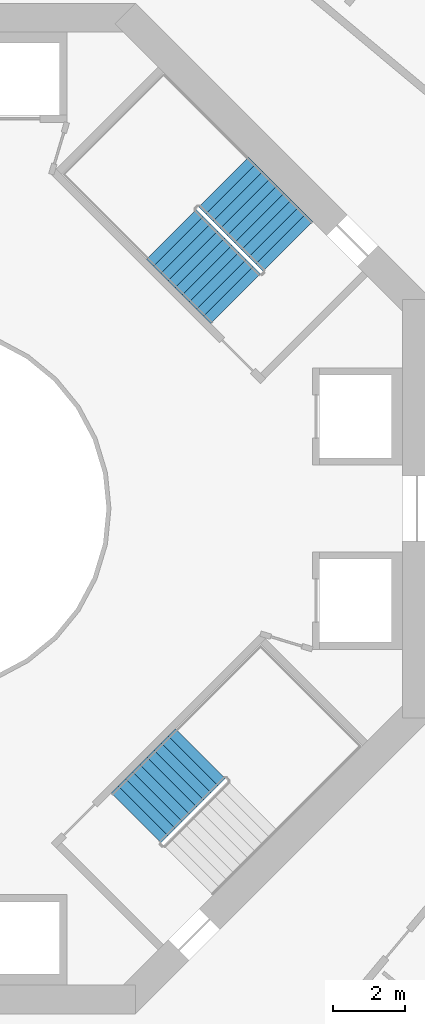
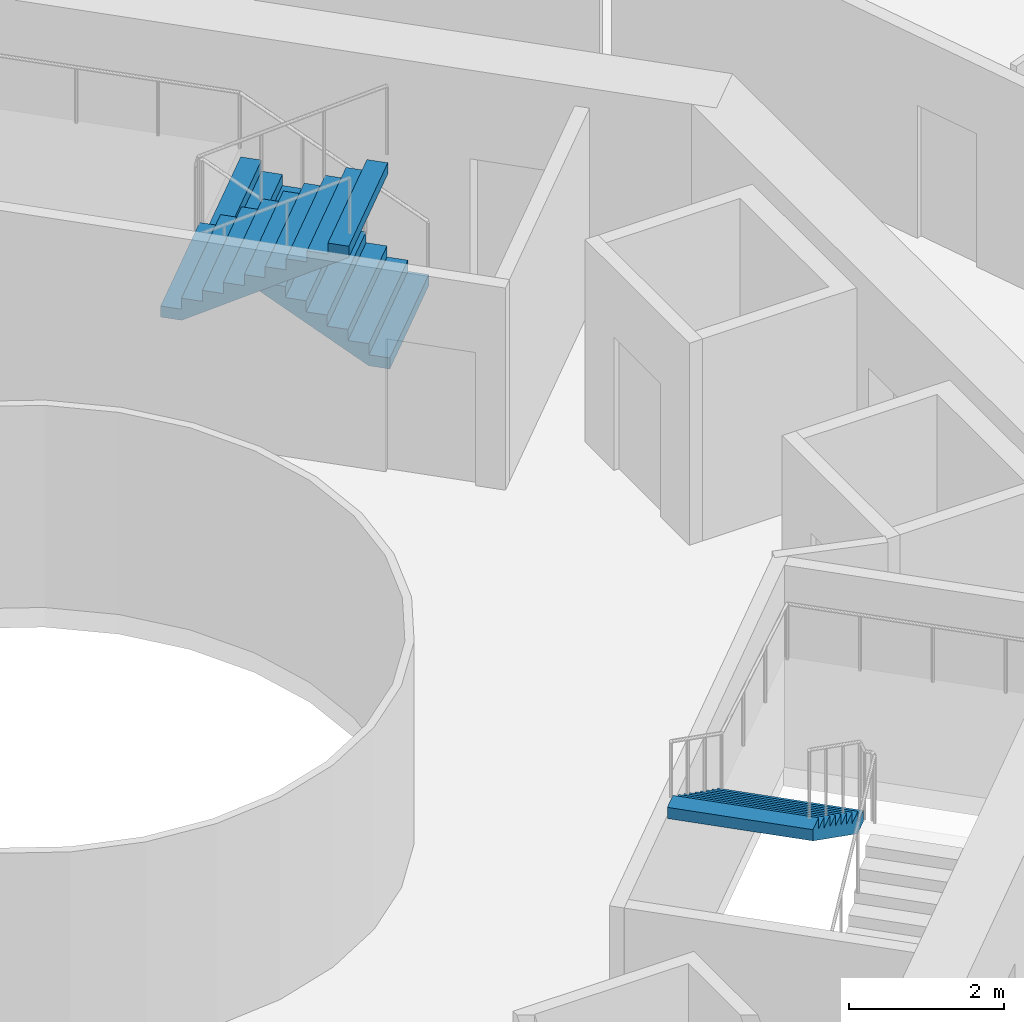
# One storey, part 23 of 24: 3 stair flights, 2 elements without a shape of their own.
"""IFC4 building model written with IfcOpenShell, lengths in metres."""

from ifc_helpers import new_model, si_unit, direction, frame, origin, place, context, subcontext, project, spatial, triangles, material, type_object, element, aggregate, save


model = new_model("IFC4")

# Units and contexts
model_context = context("Model", 3, precision=1e-05, world=origin(), true_north=direction((0.0, 1.0)))
body_context = subcontext(model_context, "Body", "Model", "MODEL_VIEW")
ifc_project = project(units=[si_unit("LENGTHUNIT", "METRE"), si_unit("AREAUNIT", "SQUARE_METRE"), si_unit("VOLUMEUNIT", "CUBIC_METRE"), si_unit("PLANEANGLEUNIT", "RADIAN"), si_unit("MASSUNIT", "GRAM", prefix="KILO")], contexts=[model_context])

# Site, building, storey
site_placement = place(None, origin())
site = spatial("IfcSite", under=ifc_project, at=site_placement, CompositionType="ELEMENT")
building_placement = place(site_placement, origin())
building = spatial("IfcBuilding", under=site, at=building_placement, Name="Verdalira Terraces Hotel", CompositionType="ELEMENT")
storey_placement = place(building_placement, frame((0.0, 0.0, 115.0)))
storey = spatial("IfcBuildingStorey", under=building, at=storey_placement, Name="L27", CompositionType="ELEMENT", Elevation=115.0)

# Stair, stair flights
ifc_material_1 = material(Name="Concrete C40", Category="concrete")
stair_type = type_object("IfcStairType", Name="Core stair 20 risers 1950 mm wide", PredefinedType="HALF_TURN_STAIR", material=ifc_material_1)
stair_1_placement = place(storey_placement, origin())
stair_1 = element("IfcStair", 1, at=stair_1_placement, inside=storey, type_object=stair_type, Name="L27 Exit stair ST1", PredefinedType="HALF_TURN_STAIR")
ifc_material_2 = material(Name="Concrete C40", Category="concrete")
stair_flight_type = type_object("IfcStairFlightType", Name="Core stair flight 20 risers 1950 mm wide", PredefinedType="STRAIGHT", material=ifc_material_2)
stair_flight_1_placement = place(storey_placement, frame((10.023193, 7.265625, 0.0), z_axis=(0.0, 0.0, 1.0), x_axis=(-0.707106781, 0.707106781, 0.0)))
stair_flight_1 = element("IfcStairFlight", 2, at=stair_flight_1_placement, type_object=stair_flight_type, Name="ST1 flight 1", NumberOfRisers=10, NumberOfTreads=9, PredefinedType="STRAIGHT", RiserHeight=0.175, TreadLength=0.28, context=body_context, shape_type="Tessellation", body=[
    triangles([(0.0, 0.974976, 0.0), (0.282715, 0.974976, 0.0), (2.52002, 0.974976, 1.398193), (0.0, -0.974976, 0.0), (0.282715, -0.974976, 0.0), (2.52002, -0.974976, 1.398193), (2.52002, 0.974976, 1.574951), (2.23999, 0.974976, 1.574951), (2.52002, -0.974976, 1.574951), (2.23999, -0.974976, 1.574951), (2.23999, 0.974976, 1.399902), (2.23999, -0.974976, 1.399902), (1.959961, 0.974976, 1.399902), (1.959961, -0.974976, 1.399902), (1.959961, 0.974976, 1.225098), (1.959961, -0.974976, 1.225098), (1.679932, 0.974976, 1.225098), (1.679932, 0.974976, 1.050049), (1.679932, -0.974976, 1.225098), (1.679932, -0.974976, 1.050049), (1.399902, 0.974976, 1.050049), (1.399902, 0.974976, 0.875), (1.399902, -0.974976, 1.050049), (1.399902, -0.974976, 0.875), (1.120117, 0.974976, 0.875), (1.120117, 0.974976, 0.699951), (1.120117, -0.974976, 0.875), (1.120117, -0.974976, 0.699951), (0.840088, 0.974976, 0.699951), (0.840088, 0.974976, 0.524902), (0.840088, -0.974976, 0.699951), (0.840088, -0.974976, 0.524902), (0.560059, 0.974976, 0.524902), (0.560059, 0.974976, 0.350098), (0.560059, -0.974976, 0.524902), (0.560059, -0.974976, 0.350098), (0.280029, 0.974976, 0.350098), (0.280029, 0.974976, 0.175049), (0.280029, -0.974976, 0.350098), (0.280029, -0.974976, 0.175049), (0.0, 0.974976, 0.175049), (0.0, -0.974976, 0.175049), (0.0, -0.91404, 0.0), (0.0, -0.91404, 0.175049), (0.0, -0.853104, 0.0), (0.0, -0.853104, 0.175049), (0.0, -0.792168, 0.0), (0.0, -0.792168, 0.175049), (0.0, -0.731232, 0.0), (0.0, -0.731232, 0.175049), (0.0, -0.670296, 0.0), (0.0, -0.670296, 0.175049), (0.0, -0.60936, 0.0), (0.0, -0.60936, 0.175049), (0.0, -0.548424, 0.0), (0.0, -0.548424, 0.175049), (0.0, -0.487488, 0.0), (0.0, -0.487488, 0.175049), (0.0, -0.426552, 0.0), (0.0, -0.426552, 0.175049), (0.0, -0.365616, 0.0), (0.0, -0.365616, 0.175049), (0.0, -0.30468, 0.0), (0.0, -0.30468, 0.175049), (0.0, -0.243744, 0.0), (0.0, -0.243744, 0.175049), (0.0, -0.182808, 0.0), (0.0, -0.182808, 0.175049), (0.0, -0.121872, 0.0), (0.0, -0.121872, 0.175049), (0.0, -0.060936, 0.0), (0.0, -0.060936, 0.175049), (0.0, 0.0, 0.0), (0.0, 0.0, 0.175049), (0.0, 0.060936, 0.0), (0.0, 0.060936, 0.175049), (0.0, 0.121872, 0.0), (0.0, 0.121872, 0.175049), (0.0, 0.182808, 0.0), (0.0, 0.182808, 0.175049), (0.0, 0.243744, 0.0), (0.0, 0.243744, 0.175049), (0.0, 0.30468, 0.0), (0.0, 0.30468, 0.175049), (0.0, 0.365616, 0.0), (0.0, 0.365616, 0.175049), (0.0, 0.426552, 0.0), (0.0, 0.426552, 0.175049), (0.0, 0.487488, 0.0), (0.0, 0.487488, 0.175049), (0.0, 0.548424, 0.0), (0.0, 0.548424, 0.175049), (0.0, 0.60936, 0.0), (0.0, 0.60936, 0.175049), (0.0, 0.670296, 0.0), (0.0, 0.670296, 0.175049), (0.0, 0.731232, 0.0), (0.0, 0.731232, 0.175049), (0.0, 0.792168, 0.0), (0.0, 0.792168, 0.175049), (0.0, 0.853104, 0.0), (0.0, 0.853104, 0.175049), (0.0, 0.91404, 0.0), (0.0, 0.91404, 0.175049), (2.52002, -0.91404, 1.574951), (2.52002, -0.853104, 1.574951), (2.52002, -0.792168, 1.574951), (2.52002, -0.731232, 1.574951), (2.52002, -0.670296, 1.574951), (2.52002, -0.60936, 1.574951), (2.52002, -0.548424, 1.574951), (2.52002, -0.487488, 1.574951), (2.52002, -0.426552, 1.574951), (2.52002, -0.365616, 1.574951), (2.52002, -0.30468, 1.574951), (2.52002, -0.243744, 1.574951), (2.52002, -0.182808, 1.574951), (2.52002, -0.121872, 1.574951), (2.52002, -0.060936, 1.574951), (2.52002, 0.0, 1.574951), (2.52002, 0.060936, 1.574951), (2.52002, 0.121872, 1.574951), (2.52002, 0.182808, 1.574951), (2.52002, 0.243744, 1.574951), (2.52002, 0.30468, 1.574951), (2.52002, 0.365616, 1.574951), (2.52002, 0.426552, 1.574951), (2.52002, 0.487488, 1.574951), (2.52002, 0.548424, 1.574951), (2.52002, 0.60936, 1.574951), (2.52002, 0.670296, 1.574951), (2.52002, 0.731232, 1.574951), (2.52002, 0.792168, 1.574951), (2.52002, 0.853104, 1.574951), (2.52002, 0.91404, 1.574951), (2.52002, -0.91404, 1.398193), (2.52002, -0.853104, 1.398193), (2.52002, -0.792168, 1.398193), (2.52002, -0.731232, 1.398193), (2.52002, -0.670296, 1.398193), (2.52002, -0.60936, 1.398193), (2.52002, -0.548424, 1.398193), (2.52002, -0.487488, 1.398193), (2.52002, -0.426552, 1.398193), (2.52002, -0.365616, 1.398193), (2.52002, -0.30468, 1.398193), (2.52002, -0.243744, 1.398193), (2.52002, -0.182808, 1.398193), (2.52002, -0.121872, 1.398193), (2.52002, -0.060936, 1.398193), (2.52002, 0.0, 1.398193), (2.52002, 0.060936, 1.398193), (2.52002, 0.121872, 1.398193), (2.52002, 0.182808, 1.398193), (2.52002, 0.243744, 1.398193), (2.52002, 0.30468, 1.398193), (2.52002, 0.365616, 1.398193), (2.52002, 0.426552, 1.398193), (2.52002, 0.487488, 1.398193), (2.52002, 0.548424, 1.398193), (2.52002, 0.60936, 1.398193), (2.52002, 0.670296, 1.398193), (2.52002, 0.731232, 1.398193), (2.52002, 0.792168, 1.398193), (2.52002, 0.853104, 1.398193), (2.52002, 0.91404, 1.398193)], [[1, 3, 2], [4, 5, 6], [3, 8, 7], [6, 9, 10], [3, 11, 8], [6, 10, 12], [3, 13, 11], [6, 12, 14], [3, 15, 13], [6, 14, 16], [15, 18, 17], [16, 19, 20], [3, 18, 15], [6, 16, 20], [18, 22, 21], [20, 23, 24], [3, 22, 18], [6, 20, 24], [22, 26, 25], [24, 27, 28], [3, 26, 22], [6, 24, 28], [26, 30, 29], [28, 31, 32], [3, 30, 26], [6, 28, 32], [1, 30, 3], [4, 6, 32], [30, 34, 33], [32, 35, 36], [34, 38, 37], [36, 39, 40], [30, 38, 34], [32, 36, 40], [1, 38, 30], [4, 32, 40], [38, 1, 41], [40, 42, 4], [4, 44, 43], [4, 42, 44], [43, 46, 45], [43, 44, 46], [45, 48, 47], [45, 46, 48], [47, 50, 49], [47, 48, 50], [49, 52, 51], [49, 50, 52], [51, 54, 53], [51, 52, 54], [53, 56, 55], [53, 54, 56], [55, 58, 57], [55, 56, 58], [57, 60, 59], [57, 58, 60], [59, 62, 61], [59, 60, 62], [61, 64, 63], [61, 62, 64], [63, 66, 65], [63, 64, 66], [65, 68, 67], [65, 66, 68], [67, 70, 69], [67, 68, 70], [69, 72, 71], [69, 70, 72], [71, 74, 73], [71, 72, 74], [73, 76, 75], [73, 74, 76], [75, 78, 77], [75, 76, 78], [77, 80, 79], [77, 78, 80], [79, 82, 81], [79, 80, 82], [81, 84, 83], [81, 82, 84], [83, 86, 85], [83, 84, 86], [85, 88, 87], [85, 86, 88], [87, 90, 89], [87, 88, 90], [89, 92, 91], [89, 90, 92], [91, 94, 93], [91, 92, 94], [93, 96, 95], [93, 94, 96], [95, 98, 97], [95, 96, 98], [97, 100, 99], [97, 98, 100], [99, 102, 101], [99, 100, 102], [101, 104, 103], [101, 102, 104], [103, 41, 1], [103, 104, 41], [42, 40, 44], [44, 40, 46], [46, 40, 48], [48, 40, 50], [50, 40, 52], [52, 40, 54], [54, 40, 56], [56, 40, 58], [58, 40, 60], [60, 40, 62], [62, 40, 64], [64, 40, 66], [66, 40, 68], [68, 40, 70], [70, 40, 72], [72, 40, 74], [74, 40, 76], [76, 40, 78], [78, 40, 80], [80, 40, 82], [82, 40, 84], [84, 40, 86], [86, 40, 88], [88, 40, 90], [90, 40, 92], [92, 40, 94], [94, 40, 96], [96, 40, 98], [98, 40, 100], [100, 40, 102], [102, 40, 104], [104, 40, 41], [41, 40, 38], [40, 37, 38], [40, 39, 37], [39, 34, 37], [39, 36, 34], [36, 33, 34], [36, 35, 33], [35, 30, 33], [35, 32, 30], [32, 29, 30], [32, 31, 29], [31, 26, 29], [31, 28, 26], [28, 25, 26], [28, 27, 25], [27, 22, 25], [27, 24, 22], [24, 21, 22], [24, 23, 21], [23, 18, 21], [23, 20, 18], [20, 17, 18], [20, 19, 17], [19, 15, 17], [19, 16, 15], [16, 13, 15], [16, 14, 13], [14, 11, 13], [14, 12, 11], [12, 8, 11], [12, 10, 8], [9, 105, 10], [105, 106, 10], [106, 107, 10], [107, 108, 10], [108, 109, 10], [109, 110, 10], [110, 111, 10], [111, 112, 10], [112, 113, 10], [113, 114, 10], [114, 115, 10], [115, 116, 10], [116, 117, 10], [117, 118, 10], [118, 119, 10], [119, 120, 10], [120, 121, 10], [121, 122, 10], [122, 123, 10], [123, 124, 10], [124, 125, 10], [125, 126, 10], [126, 127, 10], [127, 128, 10], [128, 129, 10], [129, 130, 10], [130, 131, 10], [131, 132, 10], [132, 133, 10], [133, 134, 10], [134, 135, 10], [135, 7, 10], [7, 8, 10], [9, 136, 105], [9, 6, 136], [105, 137, 106], [105, 136, 137], [106, 138, 107], [106, 137, 138], [107, 139, 108], [107, 138, 139], [108, 140, 109], [108, 139, 140], [109, 141, 110], [109, 140, 141], [110, 142, 111], [110, 141, 142], [111, 143, 112], [111, 142, 143], [112, 144, 113], [112, 143, 144], [113, 145, 114], [113, 144, 145], [114, 146, 115], [114, 145, 146], [115, 147, 116], [115, 146, 147], [116, 148, 117], [116, 147, 148], [117, 149, 118], [117, 148, 149], [118, 150, 119], [118, 149, 150], [119, 151, 120], [119, 150, 151], [120, 152, 121], [120, 151, 152], [121, 153, 122], [121, 152, 153], [122, 154, 123], [122, 153, 154], [123, 155, 124], [123, 154, 155], [124, 156, 125], [124, 155, 156], [125, 157, 126], [125, 156, 157], [126, 158, 127], [126, 157, 158], [127, 159, 128], [127, 158, 159], [128, 160, 129], [128, 159, 160], [129, 161, 130], [129, 160, 161], [130, 162, 131], [130, 161, 162], [131, 163, 132], [131, 162, 163], [132, 164, 133], [132, 163, 164], [133, 165, 134], [133, 164, 165], [134, 166, 135], [134, 165, 166], [135, 3, 7], [135, 166, 3], [6, 5, 136], [136, 5, 137], [137, 5, 138], [138, 5, 139], [139, 5, 140], [140, 5, 141], [141, 5, 142], [142, 5, 143], [143, 5, 144], [144, 5, 145], [145, 5, 146], [146, 5, 147], [147, 5, 148], [148, 5, 149], [149, 5, 150], [150, 5, 151], [151, 5, 152], [152, 5, 153], [153, 5, 154], [154, 5, 155], [155, 5, 156], [156, 5, 157], [157, 5, 158], [158, 5, 159], [159, 5, 160], [160, 5, 161], [161, 5, 162], [162, 5, 163], [163, 5, 164], [164, 5, 165], [165, 5, 166], [166, 5, 3], [3, 5, 2], [4, 43, 5], [43, 45, 5], [45, 47, 5], [47, 49, 5], [49, 51, 5], [51, 53, 5], [53, 55, 5], [55, 57, 5], [57, 59, 5], [59, 61, 5], [61, 63, 5], [63, 65, 5], [65, 67, 5], [67, 69, 5], [69, 71, 5], [71, 73, 5], [73, 75, 5], [75, 77, 5], [77, 79, 5], [79, 81, 5], [81, 83, 5], [83, 85, 5], [85, 87, 5], [87, 89, 5], [89, 91, 5], [91, 93, 5], [93, 95, 5], [95, 97, 5], [97, 99, 5], [99, 101, 5], [101, 103, 5], [103, 1, 5], [1, 2, 5]], closed=True),
])
stair_flight_2_placement = place(storey_placement, frame((6.791748, 7.5979, 1.75), z_axis=(0.0, 0.0, 1.0), x_axis=(0.707106781, -0.707106781, 0.0)))
stair_flight_2 = element("IfcStairFlight", 3, at=stair_flight_2_placement, type_object=stair_flight_type, Name="ST1 flight 2", NumberOfRisers=10, NumberOfTreads=9, PredefinedType="STRAIGHT", RiserHeight=0.175, TreadLength=0.28, context=body_context, shape_type="Tessellation", body=[
    triangles([(0.0, 0.974976, 0.0), (0.282715, 0.974976, 0.0), (2.52002, 0.974976, 1.398193), (0.0, -0.974976, 0.0), (0.282715, -0.974976, 0.0), (2.52002, -0.974976, 1.398193), (2.52002, 0.974976, 1.574951), (2.23999, 0.974976, 1.574951), (2.52002, -0.974976, 1.574951), (2.23999, -0.974976, 1.574951), (2.23999, 0.974976, 1.399902), (2.23999, -0.974976, 1.399902), (1.959961, 0.974976, 1.399902), (1.959961, -0.974976, 1.399902), (1.959961, 0.974976, 1.225098), (1.959961, -0.974976, 1.225098), (1.679932, 0.974976, 1.225098), (1.679932, 0.974976, 1.050049), (1.679932, -0.974976, 1.225098), (1.679932, -0.974976, 1.050049), (1.399902, 0.974976, 1.050049), (1.399902, 0.974976, 0.875), (1.399902, -0.974976, 1.050049), (1.399902, -0.974976, 0.875), (1.120117, 0.974976, 0.875), (1.120117, 0.974976, 0.699951), (1.120117, -0.974976, 0.875), (1.120117, -0.974976, 0.699951), (0.840088, 0.974976, 0.699951), (0.840088, 0.974976, 0.524902), (0.840088, -0.974976, 0.699951), (0.840088, -0.974976, 0.524902), (0.560059, 0.974976, 0.524902), (0.560059, 0.974976, 0.350098), (0.560059, -0.974976, 0.524902), (0.560059, -0.974976, 0.350098), (0.280029, 0.974976, 0.350098), (0.280029, 0.974976, 0.175049), (0.280029, -0.974976, 0.350098), (0.280029, -0.974976, 0.175049), (0.0, 0.974976, 0.175049), (0.0, -0.974976, 0.175049), (0.0, -0.91404, 0.0), (0.0, -0.91404, 0.175049), (0.0, -0.853104, 0.0), (0.0, -0.853104, 0.175049), (0.0, -0.792168, 0.0), (0.0, -0.792168, 0.175049), (0.0, -0.731232, 0.0), (0.0, -0.731232, 0.175049), (0.0, -0.670296, 0.0), (0.0, -0.670296, 0.175049), (0.0, -0.60936, 0.0), (0.0, -0.60936, 0.175049), (0.0, -0.548424, 0.0), (0.0, -0.548424, 0.175049), (0.0, -0.487488, 0.0), (0.0, -0.487488, 0.175049), (0.0, -0.426552, 0.0), (0.0, -0.426552, 0.175049), (0.0, -0.365616, 0.0), (0.0, -0.365616, 0.175049), (0.0, -0.30468, 0.0), (0.0, -0.30468, 0.175049), (0.0, -0.243744, 0.0), (0.0, -0.243744, 0.175049), (0.0, -0.182808, 0.0), (0.0, -0.182808, 0.175049), (0.0, -0.121872, 0.0), (0.0, -0.121872, 0.175049), (0.0, -0.060936, 0.0), (0.0, -0.060936, 0.175049), (0.0, 0.0, 0.0), (0.0, 0.0, 0.175049), (0.0, 0.060936, 0.0), (0.0, 0.060936, 0.175049), (0.0, 0.121872, 0.0), (0.0, 0.121872, 0.175049), (0.0, 0.182808, 0.0), (0.0, 0.182808, 0.175049), (0.0, 0.243744, 0.0), (0.0, 0.243744, 0.175049), (0.0, 0.30468, 0.0), (0.0, 0.30468, 0.175049), (0.0, 0.365616, 0.0), (0.0, 0.365616, 0.175049), (0.0, 0.426552, 0.0), (0.0, 0.426552, 0.175049), (0.0, 0.487488, 0.0), (0.0, 0.487488, 0.175049), (0.0, 0.548424, 0.0), (0.0, 0.548424, 0.175049), (0.0, 0.60936, 0.0), (0.0, 0.60936, 0.175049), (0.0, 0.670296, 0.0), (0.0, 0.670296, 0.175049), (0.0, 0.731232, 0.0), (0.0, 0.731232, 0.175049), (0.0, 0.792168, 0.0), (0.0, 0.792168, 0.175049), (0.0, 0.853104, 0.0), (0.0, 0.853104, 0.175049), (0.0, 0.91404, 0.0), (0.0, 0.91404, 0.175049), (2.52002, -0.91404, 1.574951), (2.52002, -0.853104, 1.574951), (2.52002, -0.792168, 1.574951), (2.52002, -0.731232, 1.574951), (2.52002, -0.670296, 1.574951), (2.52002, -0.60936, 1.574951), (2.52002, -0.548424, 1.574951), (2.52002, -0.487488, 1.574951), (2.52002, -0.426552, 1.574951), (2.52002, -0.365616, 1.574951), (2.52002, -0.30468, 1.574951), (2.52002, -0.243744, 1.574951), (2.52002, -0.182808, 1.574951), (2.52002, -0.121872, 1.574951), (2.52002, -0.060936, 1.574951), (2.52002, 0.0, 1.574951), (2.52002, 0.060936, 1.574951), (2.52002, 0.121872, 1.574951), (2.52002, 0.182808, 1.574951), (2.52002, 0.243744, 1.574951), (2.52002, 0.30468, 1.574951), (2.52002, 0.365616, 1.574951), (2.52002, 0.426552, 1.574951), (2.52002, 0.487488, 1.574951), (2.52002, 0.548424, 1.574951), (2.52002, 0.60936, 1.574951), (2.52002, 0.670296, 1.574951), (2.52002, 0.731232, 1.574951), (2.52002, 0.792168, 1.574951), (2.52002, 0.853104, 1.574951), (2.52002, 0.91404, 1.574951), (2.52002, -0.91404, 1.398193), (2.52002, -0.853104, 1.398193), (2.52002, -0.792168, 1.398193), (2.52002, -0.731232, 1.398193), (2.52002, -0.670296, 1.398193), (2.52002, -0.60936, 1.398193), (2.52002, -0.548424, 1.398193), (2.52002, -0.487488, 1.398193), (2.52002, -0.426552, 1.398193), (2.52002, -0.365616, 1.398193), (2.52002, -0.30468, 1.398193), (2.52002, -0.243744, 1.398193), (2.52002, -0.182808, 1.398193), (2.52002, -0.121872, 1.398193), (2.52002, -0.060936, 1.398193), (2.52002, 0.0, 1.398193), (2.52002, 0.060936, 1.398193), (2.52002, 0.121872, 1.398193), (2.52002, 0.182808, 1.398193), (2.52002, 0.243744, 1.398193), (2.52002, 0.30468, 1.398193), (2.52002, 0.365616, 1.398193), (2.52002, 0.426552, 1.398193), (2.52002, 0.487488, 1.398193), (2.52002, 0.548424, 1.398193), (2.52002, 0.60936, 1.398193), (2.52002, 0.670296, 1.398193), (2.52002, 0.731232, 1.398193), (2.52002, 0.792168, 1.398193), (2.52002, 0.853104, 1.398193), (2.52002, 0.91404, 1.398193)], [[1, 3, 2], [4, 5, 6], [3, 8, 7], [6, 9, 10], [3, 11, 8], [6, 10, 12], [3, 13, 11], [6, 12, 14], [3, 15, 13], [6, 14, 16], [15, 18, 17], [16, 19, 20], [3, 18, 15], [6, 16, 20], [18, 22, 21], [20, 23, 24], [3, 22, 18], [6, 20, 24], [22, 26, 25], [24, 27, 28], [3, 26, 22], [6, 24, 28], [26, 30, 29], [28, 31, 32], [3, 30, 26], [6, 28, 32], [1, 30, 3], [4, 6, 32], [30, 34, 33], [32, 35, 36], [34, 38, 37], [36, 39, 40], [30, 38, 34], [32, 36, 40], [1, 38, 30], [4, 32, 40], [38, 1, 41], [40, 42, 4], [4, 44, 43], [4, 42, 44], [43, 46, 45], [43, 44, 46], [45, 48, 47], [45, 46, 48], [47, 50, 49], [47, 48, 50], [49, 52, 51], [49, 50, 52], [51, 54, 53], [51, 52, 54], [53, 56, 55], [53, 54, 56], [55, 58, 57], [55, 56, 58], [57, 60, 59], [57, 58, 60], [59, 62, 61], [59, 60, 62], [61, 64, 63], [61, 62, 64], [63, 66, 65], [63, 64, 66], [65, 68, 67], [65, 66, 68], [67, 70, 69], [67, 68, 70], [69, 72, 71], [69, 70, 72], [71, 74, 73], [71, 72, 74], [73, 76, 75], [73, 74, 76], [75, 78, 77], [75, 76, 78], [77, 80, 79], [77, 78, 80], [79, 82, 81], [79, 80, 82], [81, 84, 83], [81, 82, 84], [83, 86, 85], [83, 84, 86], [85, 88, 87], [85, 86, 88], [87, 90, 89], [87, 88, 90], [89, 92, 91], [89, 90, 92], [91, 94, 93], [91, 92, 94], [93, 96, 95], [93, 94, 96], [95, 98, 97], [95, 96, 98], [97, 100, 99], [97, 98, 100], [99, 102, 101], [99, 100, 102], [101, 104, 103], [101, 102, 104], [103, 41, 1], [103, 104, 41], [42, 40, 44], [44, 40, 46], [46, 40, 48], [48, 40, 50], [50, 40, 52], [52, 40, 54], [54, 40, 56], [56, 40, 58], [58, 40, 60], [60, 40, 62], [62, 40, 64], [64, 40, 66], [66, 40, 68], [68, 40, 70], [70, 40, 72], [72, 40, 74], [74, 40, 76], [76, 40, 78], [78, 40, 80], [80, 40, 82], [82, 40, 84], [84, 40, 86], [86, 40, 88], [88, 40, 90], [90, 40, 92], [92, 40, 94], [94, 40, 96], [96, 40, 98], [98, 40, 100], [100, 40, 102], [102, 40, 104], [104, 40, 41], [41, 40, 38], [40, 37, 38], [40, 39, 37], [39, 34, 37], [39, 36, 34], [36, 33, 34], [36, 35, 33], [35, 30, 33], [35, 32, 30], [32, 29, 30], [32, 31, 29], [31, 26, 29], [31, 28, 26], [28, 25, 26], [28, 27, 25], [27, 22, 25], [27, 24, 22], [24, 21, 22], [24, 23, 21], [23, 18, 21], [23, 20, 18], [20, 17, 18], [20, 19, 17], [19, 15, 17], [19, 16, 15], [16, 13, 15], [16, 14, 13], [14, 11, 13], [14, 12, 11], [12, 8, 11], [12, 10, 8], [9, 105, 10], [105, 106, 10], [106, 107, 10], [107, 108, 10], [108, 109, 10], [109, 110, 10], [110, 111, 10], [111, 112, 10], [112, 113, 10], [113, 114, 10], [114, 115, 10], [115, 116, 10], [116, 117, 10], [117, 118, 10], [118, 119, 10], [119, 120, 10], [120, 121, 10], [121, 122, 10], [122, 123, 10], [123, 124, 10], [124, 125, 10], [125, 126, 10], [126, 127, 10], [127, 128, 10], [128, 129, 10], [129, 130, 10], [130, 131, 10], [131, 132, 10], [132, 133, 10], [133, 134, 10], [134, 135, 10], [135, 7, 10], [7, 8, 10], [9, 136, 105], [9, 6, 136], [105, 137, 106], [105, 136, 137], [106, 138, 107], [106, 137, 138], [107, 139, 108], [107, 138, 139], [108, 140, 109], [108, 139, 140], [109, 141, 110], [109, 140, 141], [110, 142, 111], [110, 141, 142], [111, 143, 112], [111, 142, 143], [112, 144, 113], [112, 143, 144], [113, 145, 114], [113, 144, 145], [114, 146, 115], [114, 145, 146], [115, 147, 116], [115, 146, 147], [116, 148, 117], [116, 147, 148], [117, 149, 118], [117, 148, 149], [118, 150, 119], [118, 149, 150], [119, 151, 120], [119, 150, 151], [120, 152, 121], [120, 151, 152], [121, 153, 122], [121, 152, 153], [122, 154, 123], [122, 153, 154], [123, 155, 124], [123, 154, 155], [124, 156, 125], [124, 155, 156], [125, 157, 126], [125, 156, 157], [126, 158, 127], [126, 157, 158], [127, 159, 128], [127, 158, 159], [128, 160, 129], [128, 159, 160], [129, 161, 130], [129, 160, 161], [130, 162, 131], [130, 161, 162], [131, 163, 132], [131, 162, 163], [132, 164, 133], [132, 163, 164], [133, 165, 134], [133, 164, 165], [134, 166, 135], [134, 165, 166], [135, 3, 7], [135, 166, 3], [6, 5, 136], [136, 5, 137], [137, 5, 138], [138, 5, 139], [139, 5, 140], [140, 5, 141], [141, 5, 142], [142, 5, 143], [143, 5, 144], [144, 5, 145], [145, 5, 146], [146, 5, 147], [147, 5, 148], [148, 5, 149], [149, 5, 150], [150, 5, 151], [151, 5, 152], [152, 5, 153], [153, 5, 154], [154, 5, 155], [155, 5, 156], [156, 5, 157], [157, 5, 158], [158, 5, 159], [159, 5, 160], [160, 5, 161], [161, 5, 162], [162, 5, 163], [163, 5, 164], [164, 5, 165], [165, 5, 166], [166, 5, 3], [3, 5, 2], [4, 43, 5], [43, 45, 5], [45, 47, 5], [47, 49, 5], [49, 51, 5], [51, 53, 5], [53, 55, 5], [55, 57, 5], [57, 59, 5], [59, 61, 5], [61, 63, 5], [63, 65, 5], [65, 67, 5], [67, 69, 5], [69, 71, 5], [71, 73, 5], [73, 75, 5], [75, 77, 5], [77, 79, 5], [79, 81, 5], [81, 83, 5], [83, 85, 5], [85, 87, 5], [87, 89, 5], [89, 91, 5], [91, 93, 5], [93, 95, 5], [95, 97, 5], [97, 99, 5], [99, 101, 5], [101, 103, 5], [103, 1, 5], [1, 2, 5]], closed=True),
])
aggregate(stair_1, [stair_flight_1, stair_flight_2])

# Stair, stair flight
stair_2_placement = place(storey_placement, origin())
stair_2 = element("IfcStair", 4, at=stair_2_placement, inside=storey, type_object=stair_type, Name="L27 Exit stair ST3", PredefinedType="HALF_TURN_STAIR")
stair_flight_3_placement = place(storey_placement, frame((7.5979, -6.791748, 1.75), z_axis=(0.0, 0.0, 1.0), x_axis=(-0.707106781, -0.707106781, 0.0)))
stair_flight_3 = element("IfcStairFlight", 5, at=stair_flight_3_placement, type_object=stair_flight_type, Name="ST3 flight 2", NumberOfRisers=10, NumberOfTreads=9, PredefinedType="STRAIGHT", RiserHeight=0.175, TreadLength=0.28, context=body_context, shape_type="Tessellation", body=[
    triangles([(0.0, 0.974976, 0.0), (0.282715, 0.974976, 0.0), (2.52002, 0.974976, 1.398193), (0.0, -0.974976, 0.0), (0.282715, -0.974976, 0.0), (2.52002, -0.974976, 1.398193), (2.52002, 0.974976, 1.574951), (2.23999, 0.974976, 1.574951), (2.52002, -0.974976, 1.574951), (2.23999, -0.974976, 1.574951), (2.23999, 0.974976, 1.399902), (2.23999, -0.974976, 1.399902), (1.959961, 0.974976, 1.399902), (1.959961, -0.974976, 1.399902), (1.959961, 0.974976, 1.225098), (1.959961, -0.974976, 1.225098), (1.679932, 0.974976, 1.225098), (1.679932, 0.974976, 1.050049), (1.679932, -0.974976, 1.225098), (1.679932, -0.974976, 1.050049), (1.399902, 0.974976, 1.050049), (1.399902, 0.974976, 0.875), (1.399902, -0.974976, 1.050049), (1.399902, -0.974976, 0.875), (1.120117, 0.974976, 0.875), (1.120117, 0.974976, 0.699951), (1.120117, -0.974976, 0.875), (1.120117, -0.974976, 0.699951), (0.840088, 0.974976, 0.699951), (0.840088, 0.974976, 0.524902), (0.840088, -0.974976, 0.699951), (0.840088, -0.974976, 0.524902), (0.560059, 0.974976, 0.524902), (0.560059, 0.974976, 0.350098), (0.560059, -0.974976, 0.524902), (0.560059, -0.974976, 0.350098), (0.280029, 0.974976, 0.350098), (0.280029, 0.974976, 0.175049), (0.280029, -0.974976, 0.350098), (0.280029, -0.974976, 0.175049), (0.0, 0.974976, 0.175049), (0.0, -0.974976, 0.175049), (0.0, -0.91404, 0.0), (0.0, -0.91404, 0.175049), (0.0, -0.853104, 0.0), (0.0, -0.853104, 0.175049), (0.0, -0.792168, 0.0), (0.0, -0.792168, 0.175049), (0.0, -0.731232, 0.0), (0.0, -0.731232, 0.175049), (0.0, -0.670296, 0.0), (0.0, -0.670296, 0.175049), (0.0, -0.60936, 0.0), (0.0, -0.60936, 0.175049), (0.0, -0.548424, 0.0), (0.0, -0.548424, 0.175049), (0.0, -0.487488, 0.0), (0.0, -0.487488, 0.175049), (0.0, -0.426552, 0.0), (0.0, -0.426552, 0.175049), (0.0, -0.365616, 0.0), (0.0, -0.365616, 0.175049), (0.0, -0.30468, 0.0), (0.0, -0.30468, 0.175049), (0.0, -0.243744, 0.0), (0.0, -0.243744, 0.175049), (0.0, -0.182808, 0.0), (0.0, -0.182808, 0.175049), (0.0, -0.121872, 0.0), (0.0, -0.121872, 0.175049), (0.0, -0.060936, 0.0), (0.0, -0.060936, 0.175049), (0.0, 0.0, 0.0), (0.0, 0.0, 0.175049), (0.0, 0.060936, 0.0), (0.0, 0.060936, 0.175049), (0.0, 0.121872, 0.0), (0.0, 0.121872, 0.175049), (0.0, 0.182808, 0.0), (0.0, 0.182808, 0.175049), (0.0, 0.243744, 0.0), (0.0, 0.243744, 0.175049), (0.0, 0.30468, 0.0), (0.0, 0.30468, 0.175049), (0.0, 0.365616, 0.0), (0.0, 0.365616, 0.175049), (0.0, 0.426552, 0.0), (0.0, 0.426552, 0.175049), (0.0, 0.487488, 0.0), (0.0, 0.487488, 0.175049), (0.0, 0.548424, 0.0), (0.0, 0.548424, 0.175049), (0.0, 0.60936, 0.0), (0.0, 0.60936, 0.175049), (0.0, 0.670296, 0.0), (0.0, 0.670296, 0.175049), (0.0, 0.731232, 0.0), (0.0, 0.731232, 0.175049), (0.0, 0.792168, 0.0), (0.0, 0.792168, 0.175049), (0.0, 0.853104, 0.0), (0.0, 0.853104, 0.175049), (0.0, 0.91404, 0.0), (0.0, 0.91404, 0.175049), (2.52002, -0.91404, 1.574951), (2.52002, -0.853104, 1.574951), (2.52002, -0.792168, 1.574951), (2.52002, -0.731232, 1.574951), (2.52002, -0.670296, 1.574951), (2.52002, -0.60936, 1.574951), (2.52002, -0.548424, 1.574951), (2.52002, -0.487488, 1.574951), (2.52002, -0.426552, 1.574951), (2.52002, -0.365616, 1.574951), (2.52002, -0.30468, 1.574951), (2.52002, -0.243744, 1.574951), (2.52002, -0.182808, 1.574951), (2.52002, -0.121872, 1.574951), (2.52002, -0.060936, 1.574951), (2.52002, 0.0, 1.574951), (2.52002, 0.060936, 1.574951), (2.52002, 0.121872, 1.574951), (2.52002, 0.182808, 1.574951), (2.52002, 0.243744, 1.574951), (2.52002, 0.30468, 1.574951), (2.52002, 0.365616, 1.574951), (2.52002, 0.426552, 1.574951), (2.52002, 0.487488, 1.574951), (2.52002, 0.548424, 1.574951), (2.52002, 0.60936, 1.574951), (2.52002, 0.670296, 1.574951), (2.52002, 0.731232, 1.574951), (2.52002, 0.792168, 1.574951), (2.52002, 0.853104, 1.574951), (2.52002, 0.91404, 1.574951), (2.52002, -0.91404, 1.398193), (2.52002, -0.853104, 1.398193), (2.52002, -0.792168, 1.398193), (2.52002, -0.731232, 1.398193), (2.52002, -0.670296, 1.398193), (2.52002, -0.60936, 1.398193), (2.52002, -0.548424, 1.398193), (2.52002, -0.487488, 1.398193), (2.52002, -0.426552, 1.398193), (2.52002, -0.365616, 1.398193), (2.52002, -0.30468, 1.398193), (2.52002, -0.243744, 1.398193), (2.52002, -0.182808, 1.398193), (2.52002, -0.121872, 1.398193), (2.52002, -0.060936, 1.398193), (2.52002, 0.0, 1.398193), (2.52002, 0.060936, 1.398193), (2.52002, 0.121872, 1.398193), (2.52002, 0.182808, 1.398193), (2.52002, 0.243744, 1.398193), (2.52002, 0.30468, 1.398193), (2.52002, 0.365616, 1.398193), (2.52002, 0.426552, 1.398193), (2.52002, 0.487488, 1.398193), (2.52002, 0.548424, 1.398193), (2.52002, 0.60936, 1.398193), (2.52002, 0.670296, 1.398193), (2.52002, 0.731232, 1.398193), (2.52002, 0.792168, 1.398193), (2.52002, 0.853104, 1.398193), (2.52002, 0.91404, 1.398193)], [[1, 3, 2], [4, 5, 6], [3, 8, 7], [6, 9, 10], [3, 11, 8], [6, 10, 12], [3, 13, 11], [6, 12, 14], [3, 15, 13], [6, 14, 16], [15, 18, 17], [16, 19, 20], [3, 18, 15], [6, 16, 20], [18, 22, 21], [20, 23, 24], [3, 22, 18], [6, 20, 24], [22, 26, 25], [24, 27, 28], [3, 26, 22], [6, 24, 28], [26, 30, 29], [28, 31, 32], [3, 30, 26], [6, 28, 32], [1, 30, 3], [4, 6, 32], [30, 34, 33], [32, 35, 36], [34, 38, 37], [36, 39, 40], [30, 38, 34], [32, 36, 40], [1, 38, 30], [4, 32, 40], [38, 1, 41], [40, 42, 4], [4, 44, 43], [4, 42, 44], [43, 46, 45], [43, 44, 46], [45, 48, 47], [45, 46, 48], [47, 50, 49], [47, 48, 50], [49, 52, 51], [49, 50, 52], [51, 54, 53], [51, 52, 54], [53, 56, 55], [53, 54, 56], [55, 58, 57], [55, 56, 58], [57, 60, 59], [57, 58, 60], [59, 62, 61], [59, 60, 62], [61, 64, 63], [61, 62, 64], [63, 66, 65], [63, 64, 66], [65, 68, 67], [65, 66, 68], [67, 70, 69], [67, 68, 70], [69, 72, 71], [69, 70, 72], [71, 74, 73], [71, 72, 74], [73, 76, 75], [73, 74, 76], [75, 78, 77], [75, 76, 78], [77, 80, 79], [77, 78, 80], [79, 82, 81], [79, 80, 82], [81, 84, 83], [81, 82, 84], [83, 86, 85], [83, 84, 86], [85, 88, 87], [85, 86, 88], [87, 90, 89], [87, 88, 90], [89, 92, 91], [89, 90, 92], [91, 94, 93], [91, 92, 94], [93, 96, 95], [93, 94, 96], [95, 98, 97], [95, 96, 98], [97, 100, 99], [97, 98, 100], [99, 102, 101], [99, 100, 102], [101, 104, 103], [101, 102, 104], [103, 41, 1], [103, 104, 41], [42, 40, 44], [44, 40, 46], [46, 40, 48], [48, 40, 50], [50, 40, 52], [52, 40, 54], [54, 40, 56], [56, 40, 58], [58, 40, 60], [60, 40, 62], [62, 40, 64], [64, 40, 66], [66, 40, 68], [68, 40, 70], [70, 40, 72], [72, 40, 74], [74, 40, 76], [76, 40, 78], [78, 40, 80], [80, 40, 82], [82, 40, 84], [84, 40, 86], [86, 40, 88], [88, 40, 90], [90, 40, 92], [92, 40, 94], [94, 40, 96], [96, 40, 98], [98, 40, 100], [100, 40, 102], [102, 40, 104], [104, 40, 41], [41, 40, 38], [40, 37, 38], [40, 39, 37], [39, 34, 37], [39, 36, 34], [36, 33, 34], [36, 35, 33], [35, 30, 33], [35, 32, 30], [32, 29, 30], [32, 31, 29], [31, 26, 29], [31, 28, 26], [28, 25, 26], [28, 27, 25], [27, 22, 25], [27, 24, 22], [24, 21, 22], [24, 23, 21], [23, 18, 21], [23, 20, 18], [20, 17, 18], [20, 19, 17], [19, 15, 17], [19, 16, 15], [16, 13, 15], [16, 14, 13], [14, 11, 13], [14, 12, 11], [12, 8, 11], [12, 10, 8], [9, 105, 10], [105, 106, 10], [106, 107, 10], [107, 108, 10], [108, 109, 10], [109, 110, 10], [110, 111, 10], [111, 112, 10], [112, 113, 10], [113, 114, 10], [114, 115, 10], [115, 116, 10], [116, 117, 10], [117, 118, 10], [118, 119, 10], [119, 120, 10], [120, 121, 10], [121, 122, 10], [122, 123, 10], [123, 124, 10], [124, 125, 10], [125, 126, 10], [126, 127, 10], [127, 128, 10], [128, 129, 10], [129, 130, 10], [130, 131, 10], [131, 132, 10], [132, 133, 10], [133, 134, 10], [134, 135, 10], [135, 7, 10], [7, 8, 10], [9, 136, 105], [9, 6, 136], [105, 137, 106], [105, 136, 137], [106, 138, 107], [106, 137, 138], [107, 139, 108], [107, 138, 139], [108, 140, 109], [108, 139, 140], [109, 141, 110], [109, 140, 141], [110, 142, 111], [110, 141, 142], [111, 143, 112], [111, 142, 143], [112, 144, 113], [112, 143, 144], [113, 145, 114], [113, 144, 145], [114, 146, 115], [114, 145, 146], [115, 147, 116], [115, 146, 147], [116, 148, 117], [116, 147, 148], [117, 149, 118], [117, 148, 149], [118, 150, 119], [118, 149, 150], [119, 151, 120], [119, 150, 151], [120, 152, 121], [120, 151, 152], [121, 153, 122], [121, 152, 153], [122, 154, 123], [122, 153, 154], [123, 155, 124], [123, 154, 155], [124, 156, 125], [124, 155, 156], [125, 157, 126], [125, 156, 157], [126, 158, 127], [126, 157, 158], [127, 159, 128], [127, 158, 159], [128, 160, 129], [128, 159, 160], [129, 161, 130], [129, 160, 161], [130, 162, 131], [130, 161, 162], [131, 163, 132], [131, 162, 163], [132, 164, 133], [132, 163, 164], [133, 165, 134], [133, 164, 165], [134, 166, 135], [134, 165, 166], [135, 3, 7], [135, 166, 3], [6, 5, 136], [136, 5, 137], [137, 5, 138], [138, 5, 139], [139, 5, 140], [140, 5, 141], [141, 5, 142], [142, 5, 143], [143, 5, 144], [144, 5, 145], [145, 5, 146], [146, 5, 147], [147, 5, 148], [148, 5, 149], [149, 5, 150], [150, 5, 151], [151, 5, 152], [152, 5, 153], [153, 5, 154], [154, 5, 155], [155, 5, 156], [156, 5, 157], [157, 5, 158], [158, 5, 159], [159, 5, 160], [160, 5, 161], [161, 5, 162], [162, 5, 163], [163, 5, 164], [164, 5, 165], [165, 5, 166], [166, 5, 3], [3, 5, 2], [4, 43, 5], [43, 45, 5], [45, 47, 5], [47, 49, 5], [49, 51, 5], [51, 53, 5], [53, 55, 5], [55, 57, 5], [57, 59, 5], [59, 61, 5], [61, 63, 5], [63, 65, 5], [65, 67, 5], [67, 69, 5], [69, 71, 5], [71, 73, 5], [73, 75, 5], [75, 77, 5], [77, 79, 5], [79, 81, 5], [81, 83, 5], [83, 85, 5], [85, 87, 5], [87, 89, 5], [89, 91, 5], [91, 93, 5], [93, 95, 5], [95, 97, 5], [97, 99, 5], [99, 101, 5], [101, 103, 5], [103, 1, 5], [1, 2, 5]], closed=True),
])
aggregate(stair_2, [stair_flight_3])

save(model, "model.ifc")
